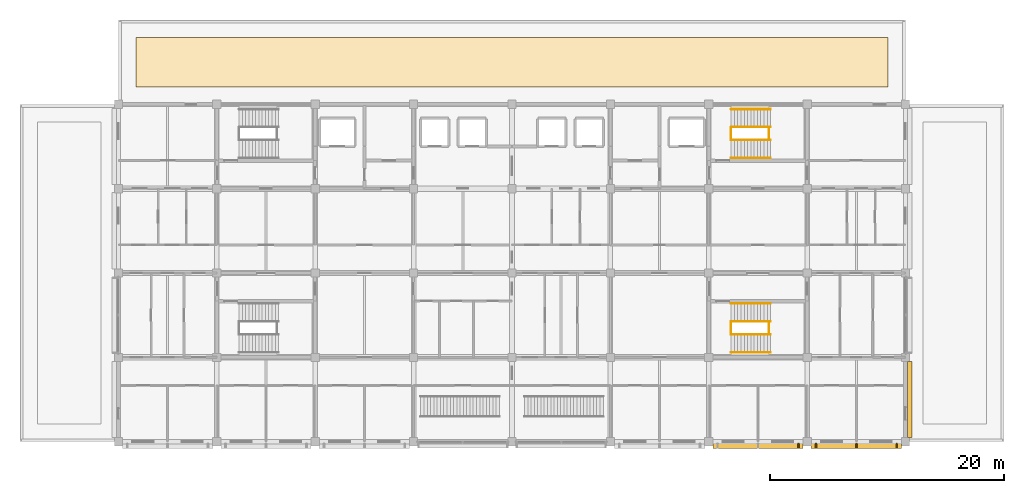
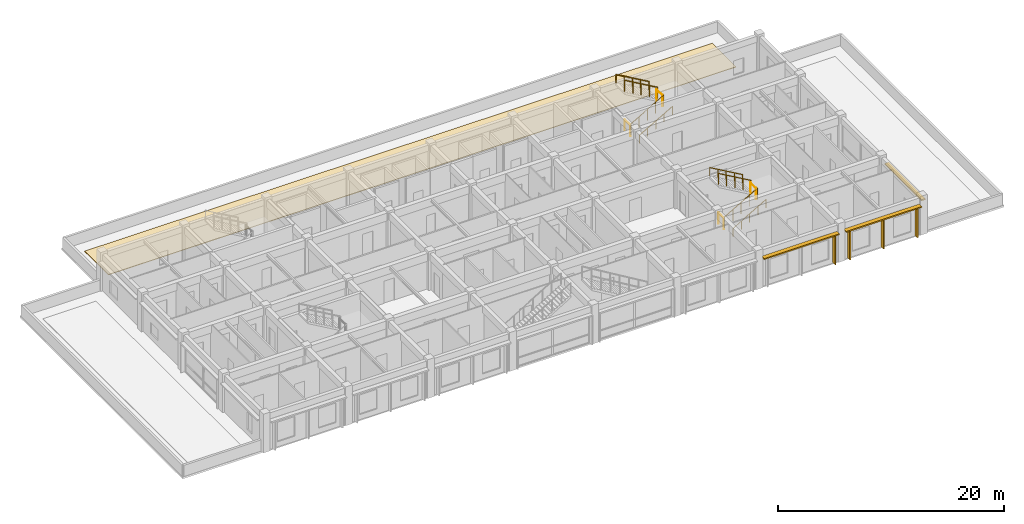
# One storey, part 18 of 19: 12 railings, 7 shading devices, 1 covering.
"""IFC4 building model written with IfcOpenShell, lengths in metres."""

import ifcopenshell
import ifcopenshell.guid

model = None  # the IFC model being written
_history = None  # IfcOwnerHistory: only IFC2X3 demands one
_inside = {}  # id of a spatial element -> (the spatial element, [elements in it])
_under = {}  # id of a project, library or spatial element -> (it, [spatial elements below it])
_declared = {}  # id of a project -> (the project, [libraries it declares])
_typed = {}  # id of a type object -> (the type object, [elements of that type])
_made_of = {}  # id of a material, layer set ... -> (it, [elements and type objects made of it])


def new_model(schema):
    """Start an empty IFC model of exactly this schema.

    Asked for "IFC4X3", IfcOpenShell would pick the latest addendum, in which some entities
    have other attributes; the version numbers below select the first issue.
    IFC2X3 requires an IfcOwnerHistory on every rooted entity: one is made here for all.
    """
    global model, _history
    if schema == "IFC4X3":
        model = ifcopenshell.file(schema_version=(4, 3, 0, 0))
    else:
        model = ifcopenshell.file(schema=schema)
    _inside.clear()
    _under.clear()
    _declared.clear()
    _typed.clear()
    _made_of.clear()
    _history = None
    if model.schema == "IFC2X3":
        org = make("IfcOrganization", Name="unknown")
        user = make(
            "IfcPersonAndOrganization",
            ThePerson=make("IfcPerson", FamilyName="unknown"),
            TheOrganization=org,
        )
        app = make(
            "IfcApplication",
            ApplicationDeveloper=org,
            Version="unknown",
            ApplicationFullName="unknown",
            ApplicationIdentifier="unknown",
        )
        _history = make(
            "IfcOwnerHistory",
            OwningUser=user,
            OwningApplication=app,
            ChangeAction="ADDED",
            CreationDate=0,
        )
    return model


def make(cls, **values):
    """One entity of the class cls with the attributes given. An attribute that is None is left unset."""
    return model.create_entity(
        cls, **{name: value for name, value in values.items() if value is not None}
    )


def rooted(cls, **values):
    """An entity with a GlobalId (a new one), such as an element, a storey or a relation."""
    return make(cls, GlobalId=ifcopenshell.guid.new(), OwnerHistory=_history, **values)


def si_unit(unit_type, name, prefix=None):
    """IfcSIUnit, for example si_unit("LENGTHUNIT", "METRE", prefix="MILLI")."""
    return make("IfcSIUnit", UnitType=unit_type, Prefix=prefix, Name=name)


def assignment(units):
    """IfcUnitAssignment: the units of a project."""
    return None if units is None else make("IfcUnitAssignment", Units=units)


def point(xyz):
    """IfcCartesianPoint."""
    return None if xyz is None else make("IfcCartesianPoint", Coordinates=xyz)


def direction(xyz):
    """IfcDirection."""
    return None if xyz is None else make("IfcDirection", DirectionRatios=xyz)


def frame(location, z_axis=None, x_axis=None):
    """IfcAxis2Placement3D, a coordinate frame: its origin and axes. An axis left out is left unset."""
    return make(
        "IfcAxis2Placement3D",
        Location=point(location),
        Axis=direction(z_axis),
        RefDirection=direction(x_axis),
    )


def frame_2d(location, x_axis=None):
    """IfcAxis2Placement2D, a coordinate frame in the plane: its origin and x axis."""
    return make(
        "IfcAxis2Placement2D", Location=point(location), RefDirection=direction(x_axis)
    )


def origin():
    """The frame at (0, 0, 0) with its axes left unset."""
    return frame((0.0, 0.0, 0.0))


def origin_2d():
    """The frame at (0, 0) in the plane with its x axis left unset."""
    return frame_2d((0.0, 0.0))


def place(relative_to, where):
    """IfcLocalPlacement: puts the frame where relative to a parent placement (None: the world)."""
    return make(
        "IfcLocalPlacement", PlacementRelTo=relative_to, RelativePlacement=where
    )


def context(
    kind, dimensions, precision=None, world=None, true_north=None, identifier=None
):
    """IfcGeometricRepresentationContext, for example the 3D "Model" context."""
    return make(
        "IfcGeometricRepresentationContext",
        ContextIdentifier=identifier,
        ContextType=kind,
        CoordinateSpaceDimension=dimensions,
        Precision=precision,
        WorldCoordinateSystem=world,
        TrueNorth=true_north,
    )


def subcontext(parent, identifier, kind, view, scale=None):
    """IfcGeometricRepresentationSubContext, for example "Body" below "Model"."""
    return make(
        "IfcGeometricRepresentationSubContext",
        ContextIdentifier=identifier,
        ContextType=kind,
        ParentContext=parent,
        TargetScale=scale,
        TargetView=view,
    )


def project(units=None, contexts=None):
    """IfcProject with its units and contexts."""
    return rooted(
        "IfcProject",
        Name="project",
        RepresentationContexts=contexts,
        UnitsInContext=assignment(units),
    )


def spatial(cls, under=None, at=None, **own):
    """A site, building, storey or space (cls), placed at a placement, below another one or the project."""
    s = rooted(cls, ObjectPlacement=at, **own)
    if under is not None:
        _under.setdefault(under.id(), (under, []))[1].append(s)
    return s


def polyline(points):
    """IfcPolyline through the points."""
    return make("IfcPolyline", Points=[point(p) for p in points])


def profile(cls, at=None, kind="AREA", **sizes):
    """A parametric profile (cls). Its sizes go by their IFC names, for example OverallWidth=200.0."""
    return make(cls, ProfileType=kind, Position=at, **sizes)


def rectangle(**sizes):
    """IfcRectangleProfileDef."""
    return profile("IfcRectangleProfileDef", **sizes)


def circle(**sizes):
    """IfcCircleProfileDef."""
    return profile("IfcCircleProfileDef", **sizes)


def outline(outer, holes=None, kind="AREA"):
    """IfcArbitraryClosedProfileDef: a profile drawn as a closed curve; with holes, ...WithVoids."""
    if holes is None:
        return make("IfcArbitraryClosedProfileDef", ProfileType=kind, OuterCurve=outer)
    return make(
        "IfcArbitraryProfileDefWithVoids",
        ProfileType=kind,
        OuterCurve=outer,
        InnerCurves=holes,
    )


def extrude(swept, where, along, depth):
    """IfcExtrudedAreaSolid: the profile swept, set in the frame where, extruded along a direction by depth."""
    return make(
        "IfcExtrudedAreaSolid",
        SweptArea=swept,
        Position=where,
        ExtrudedDirection=direction(along),
        Depth=depth,
    )


def shape(context_of_items, identifier, shape_type, items):
    """IfcShapeRepresentation: the items that make up one representation, for example the "Body"."""
    return make(
        "IfcShapeRepresentation",
        ContextOfItems=context_of_items,
        RepresentationIdentifier=identifier,
        RepresentationType=shape_type,
        Items=items,
    )


def material(Name=None, Category=None):
    """IfcMaterial."""
    return make("IfcMaterial", Name=Name, Category=Category)


def layer(
    of_material, thickness, ventilated=None, Name=None, Category=None, Priority=None
):
    """IfcMaterialLayer: one layer of a wall or slab, of a material (None: an air gap)."""
    return make(
        "IfcMaterialLayer",
        Material=of_material,
        LayerThickness=thickness,
        IsVentilated=ventilated,
        Name=Name,
        Category=Category,
        Priority=Priority,
    )


def layer_set(layers, Name=None):
    """IfcMaterialLayerSet."""
    return make("IfcMaterialLayerSet", MaterialLayers=layers, LayerSetName=Name)


def made_of(thing, what):
    """Note that an element or type object is made of a material, layer set ...; save() writes the relation."""
    if what is not None:
        _made_of.setdefault(what.id(), (what, []))[1].append(thing)
    return thing


def type_object(cls, material=None, **own):
    """A type object (cls), such as IfcWallType, which elements share."""
    return made_of(rooted(cls, **own), material)


def element(
    cls,
    number,
    at=None,
    inside=None,
    cuts=None,
    type_object=None,
    material=None,
    context=None,
    identifier="Body",
    shape_type=None,
    held_by="IfcProductDefinitionShape",
    body=None,
    shapes=None,
    **own,
):
    """One element of the class cls, such as IfcWall. Its Tag is "e" and its number.

    at: its placement. inside: the storey or other place that contains it. cuts: it is an
    opening in that element (IfcRelVoidsElement). A single representation is given by context,
    identifier, shape_type and body (its items); several are given by shapes. held_by: the class
    of the entity that holds the representations. save() writes the other relations.
    """
    e = rooted(cls, Tag="e%d" % number, ObjectPlacement=at, **own)
    if body is not None:
        shapes = [shape(context, identifier, shape_type, body)]
    if shapes is not None:
        e.Representation = make(held_by, Representations=shapes)
    if inside is not None:
        _inside.setdefault(inside.id(), (inside, []))[1].append(e)
    if cuts is not None:
        rooted(
            "IfcRelVoidsElement", RelatingBuildingElement=cuts, RelatedOpeningElement=e
        )
    if type_object is not None:
        _typed.setdefault(type_object.id(), (type_object, []))[1].append(e)
    return made_of(e, material)


def aggregate(whole, parts):
    """IfcRelAggregates: a whole, such as a stair, and the parts it consists of."""
    return rooted("IfcRelAggregates", RelatingObject=whole, RelatedObjects=parts)


def save(model, path):
    """Write the relations noted so far, then the file.

    IfcRelAggregates (storeys below a building ...), IfcRelContainedInSpatialStructure (elements
    in a storey), IfcRelDefinesByType, IfcRelAssociatesMaterial and IfcRelDeclares: one each for
    every whole, place, type object, material and project.
    """
    for whole, parts in _under.values():
        aggregate(whole, parts)
    for where, things in _inside.values():
        rooted(
            "IfcRelContainedInSpatialStructure",
            RelatedElements=things,
            RelatingStructure=where,
        )
    for kind, things in _typed.values():
        rooted("IfcRelDefinesByType", RelatedObjects=things, RelatingType=kind)
    for what, things in _made_of.values():
        rooted("IfcRelAssociatesMaterial", RelatedObjects=things, RelatingMaterial=what)
    for by, libraries in _declared.values():
        rooted("IfcRelDeclares", RelatingContext=by, RelatedDefinitions=libraries)
    model.write(path)


model = new_model("IFC4")

# Units and contexts
model_context = context("Model", 3, precision=1e-05, world=origin(), true_north=direction((0.0, 1.0)))
body_context = subcontext(model_context, "Body", "Model", "MODEL_VIEW")
ifc_project = project(units=[si_unit("LENGTHUNIT", "METRE"), si_unit("AREAUNIT", "SQUARE_METRE"), si_unit("VOLUMEUNIT", "CUBIC_METRE"), si_unit("PLANEANGLEUNIT", "RADIAN"), si_unit("MASSUNIT", "GRAM", prefix="KILO")], contexts=[model_context])

# Site, building, storey
site_placement = place(None, origin())
site = spatial("IfcSite", under=ifc_project, at=site_placement, CompositionType="ELEMENT")
building_placement = place(site_placement, origin())
building = spatial("IfcBuilding", under=site, at=building_placement, Name="Chengyuan Square Courthouse", CompositionType="ELEMENT")
storey_placement = place(building_placement, frame((0.0, 0.0, 47.699951171875)))
storey = spatial("IfcBuildingStorey", under=building, at=storey_placement, Name="L11", CompositionType="ELEMENT", Elevation=47.699951171875)

# Covering
ifc_material_1 = material(Name="TPO Waterproof Membrane and Extruded Polystyrene Insulation")
ifc_layer = layer(ifc_material_1, 0.06005859375)
ifc_layer_set = layer_set([ifc_layer], Name="TPO Waterproof Membrane and Extruded Polystyrene Insulation")
covering_type = type_object("IfcCoveringType", Name="RFG-01", PredefinedType="ROOFING", material=ifc_layer_set)
covering_placement = place(storey_placement, origin())
element("IfcCovering", 1, at=covering_placement, inside=storey, type_object=covering_type, Name="Roof Waterproofing Membrane RFG-L11-08", PredefinedType="ROOFING", context=body_context, shape_type="SweptSolid", body=[
    extrude(outline(polyline([(51.89990234375, 109.5), (116.10009765625, 109.5), (116.10009765625, 113.699951171875), (51.89990234375, 113.699951171875), (51.89990234375, 109.5)])), origin(), (0.0, 0.0, 1.0), 0.06005859375),
])

# Railings
ifc_material_2 = material(Name="Tempered Glass and Timber Top-Rail Balustrade", Category="wood")
railing_type_1 = type_object("IfcRailingType", Name="RL-02", PredefinedType="BALUSTRADE", material=ifc_material_2)
for number, where, name in (
    (2, (102.68994140625, 105.0, 0.0), "Stair Floor Slot Guard ST-2 L11"),
    (3, (105.949951171875, 105.0, 2.10009765625), "Stair Landing Guard ST-2-L11"),
):
    element("IfcRailing", number, at=place(storey_placement, frame(where)), inside=storey, type_object=railing_type_1, Name=name, PredefinedType="BALUSTRADE", context=body_context, shape_type="SweptSolid", body=[
        extrude(circle(Radius=0.02392578125, at=origin_2d()), frame((0.0, 0.0, 1.17578125), z_axis=(0.0, 1.0, 0.0), x_axis=(-1.0, 0.0, 0.0)), (0.0, 0.0, 1.0), 1.0),
        extrude(circle(Radius=0.02099609375, at=origin_2d()), origin(), (0.0, 0.0, 1.0), 1.15185546875),
        extrude(circle(Radius=0.02099609375, at=origin_2d()), frame((0.0, 1.0, 0.0)), (0.0, 0.0, 1.0), 1.15185546875),
    ])
railing_1_placement = place(storey_placement, frame((102.7099609375, 104.949951171875, 0.16162109375)))
element("IfcRailing", 4, at=railing_1_placement, inside=storey, type_object=railing_type_1, Name="Stair Flight 1 Guard ST-2-L11", PredefinedType="BALUSTRADE", context=body_context, shape_type="SweptSolid", body=[
    extrude(circle(Radius=0.02392578125, at=origin_2d()), frame((0.0, 0.0, 1.17578125), z_axis=(0.866190824863, 0.0, 0.499713372768), x_axis=(0.0, 1.0, 0.0)), (0.0, 0.0, 1.0), 3.879150390625),
    extrude(circle(Radius=0.02099609375, at=origin_2d()), origin(), (0.0, 0.0, 1.0), 1.15185546875),
    extrude(circle(Radius=0.02099609375, at=origin_2d()), frame((0.840087890625, 0.0, 0.484619140625)), (0.0, 0.0, 1.0), 1.15185546875),
    extrude(circle(Radius=0.02099609375, at=origin_2d()), frame((1.68017578125, 0.0, 0.96923828125)), (0.0, 0.0, 1.0), 1.15185546875),
    extrude(circle(Radius=0.02099609375, at=origin_2d()), frame((2.52001953125, 0.0, 1.453857421875)), (0.0, 0.0, 1.0), 1.15185546875),
    extrude(circle(Radius=0.02099609375, at=origin_2d()), frame((3.360107421875, 0.0, 1.9384765625)), (0.0, 0.0, 1.0), 1.15185546875),
])
railing_2_placement = place(storey_placement, frame((106.070068359375, 106.050048828125, 2.261474609375)))
element("IfcRailing", 5, at=railing_2_placement, inside=storey, type_object=railing_type_1, Name="Stair Flight 2 Guard ST-2-L11", PredefinedType="BALUSTRADE", context=body_context, shape_type="SweptSolid", body=[
    extrude(circle(Radius=0.02392578125, at=origin_2d()), frame((0.0, 0.0, 1.17578125), z_axis=(-0.866190824863, 0.0, 0.499713372768), x_axis=(0.0, -1.0, 0.0)), (0.0, 0.0, 1.0), 3.879150390625),
    extrude(circle(Radius=0.02099609375, at=origin_2d()), origin(), (0.0, 0.0, 1.0), 1.15185546875),
    extrude(circle(Radius=0.02099609375, at=origin_2d()), frame((-0.840087890625, 0.0, 0.484619140625)), (0.0, 0.0, 1.0), 1.15185546875),
    extrude(circle(Radius=0.02099609375, at=origin_2d()), frame((-1.68017578125, 0.0, 0.96923828125)), (0.0, 0.0, 1.0), 1.15185546875),
    extrude(circle(Radius=0.02099609375, at=origin_2d()), frame((-2.52001953125, 0.0, 1.453857421875)), (0.0, 0.0, 1.0), 1.15185546875),
    extrude(circle(Radius=0.02099609375, at=origin_2d()), frame((-3.360107421875, 0.0, 1.9384765625)), (0.0, 0.0, 1.0), 1.15185546875),
])
for number, where, name in (
    (6, (102.68994140625, 88.39990234375, 0.0), "Stair Floor Slot Guard ST-4 L11"),
    (7, (105.949951171875, 88.39990234375, 2.10009765625), "Stair Landing Guard ST-4-L11"),
):
    element("IfcRailing", number, at=place(storey_placement, frame(where)), inside=storey, type_object=railing_type_1, Name=name, PredefinedType="BALUSTRADE", context=body_context, shape_type="SweptSolid", body=[
        extrude(circle(Radius=0.02392578125, at=origin_2d()), frame((0.0, 0.0, 1.17578125), z_axis=(0.0, 1.0, 0.0), x_axis=(-1.0, 0.0, 0.0)), (0.0, 0.0, 1.0), 1.0),
        extrude(circle(Radius=0.02099609375, at=origin_2d()), origin(), (0.0, 0.0, 1.0), 1.15185546875),
        extrude(circle(Radius=0.02099609375, at=origin_2d()), frame((0.0, 1.0, 0.0)), (0.0, 0.0, 1.0), 1.15185546875),
    ])
railing_3_placement = place(storey_placement, frame((102.7099609375, 88.35009765625, 0.16162109375)))
element("IfcRailing", 8, at=railing_3_placement, inside=storey, type_object=railing_type_1, Name="Stair Flight 1 Guard ST-4-L11", PredefinedType="BALUSTRADE", context=body_context, shape_type="SweptSolid", body=[
    extrude(circle(Radius=0.02392578125, at=origin_2d()), frame((0.0, 0.0, 1.17578125), z_axis=(0.866190824863, 0.0, 0.499713372768), x_axis=(0.0, 1.0, 0.0)), (0.0, 0.0, 1.0), 3.879150390625),
    extrude(circle(Radius=0.02099609375, at=origin_2d()), origin(), (0.0, 0.0, 1.0), 1.15185546875),
    extrude(circle(Radius=0.02099609375, at=origin_2d()), frame((0.840087890625, 0.0, 0.484619140625)), (0.0, 0.0, 1.0), 1.15185546875),
    extrude(circle(Radius=0.02099609375, at=origin_2d()), frame((1.68017578125, 0.0, 0.96923828125)), (0.0, 0.0, 1.0), 1.15185546875),
    extrude(circle(Radius=0.02099609375, at=origin_2d()), frame((2.52001953125, 0.0, 1.453857421875)), (0.0, 0.0, 1.0), 1.15185546875),
    extrude(circle(Radius=0.02099609375, at=origin_2d()), frame((3.360107421875, 0.0, 1.9384765625)), (0.0, 0.0, 1.0), 1.15185546875),
])
railing_4_placement = place(storey_placement, frame((106.070068359375, 89.449951171875, 2.261474609375)))
element("IfcRailing", 9, at=railing_4_placement, inside=storey, type_object=railing_type_1, Name="Stair Flight 2 Guard ST-4-L11", PredefinedType="BALUSTRADE", context=body_context, shape_type="SweptSolid", body=[
    extrude(circle(Radius=0.02392578125, at=origin_2d()), frame((0.0, 0.0, 1.17578125), z_axis=(-0.866190824863, 0.0, 0.499713372768), x_axis=(0.0, -1.0, 0.0)), (0.0, 0.0, 1.0), 3.879150390625),
    extrude(circle(Radius=0.02099609375, at=origin_2d()), origin(), (0.0, 0.0, 1.0), 1.15185546875),
    extrude(circle(Radius=0.02099609375, at=origin_2d()), frame((-0.840087890625, 0.0, 0.484619140625)), (0.0, 0.0, 1.0), 1.15185546875),
    extrude(circle(Radius=0.02099609375, at=origin_2d()), frame((-1.68017578125, 0.0, 0.96923828125)), (0.0, 0.0, 1.0), 1.15185546875),
    extrude(circle(Radius=0.02099609375, at=origin_2d()), frame((-2.52001953125, 0.0, 1.453857421875)), (0.0, 0.0, 1.0), 1.15185546875),
    extrude(circle(Radius=0.02099609375, at=origin_2d()), frame((-3.360107421875, 0.0, 1.9384765625)), (0.0, 0.0, 1.0), 1.15185546875),
])
ifc_material_3 = material(Name="Stainless Steel S30408 Stair Handrail", Category="steel")
railing_type_2 = type_object("IfcRailingType", Name="RL-04", PredefinedType="HANDRAIL", material=ifc_material_3)
railing_5_placement = place(storey_placement, frame((102.7099609375, 103.419921875, 0.16162109375)))
element("IfcRailing", 10, at=railing_5_placement, inside=storey, type_object=railing_type_2, Name="Stair Flight 1 Handrail ST-2-L11", PredefinedType="HANDRAIL", context=body_context, shape_type="SweptSolid", body=[
    extrude(circle(Radius=0.02392578125, at=origin_2d()), frame((0.0, 0.0, 0.8759765625), z_axis=(0.866190824863, 0.0, 0.499713372768), x_axis=(0.0, 1.0, 0.0)), (0.0, 0.0, 1.0), 3.879150390625),
    extrude(circle(Radius=0.02099609375, at=origin_2d()), origin(), (0.0, 0.0, 1.0), 0.851806640625),
    extrude(circle(Radius=0.02099609375, at=origin_2d()), frame((0.840087890625, 0.0, 0.484619140625)), (0.0, 0.0, 1.0), 0.851806640625),
    extrude(circle(Radius=0.02099609375, at=origin_2d()), frame((1.68017578125, 0.0, 0.96923828125)), (0.0, 0.0, 1.0), 0.851806640625),
    extrude(circle(Radius=0.02099609375, at=origin_2d()), frame((2.52001953125, 0.0, 1.453857421875)), (0.0, 0.0, 1.0), 0.851806640625),
    extrude(circle(Radius=0.02099609375, at=origin_2d()), frame((3.360107421875, 0.0, 1.9384765625)), (0.0, 0.0, 1.0), 0.851806640625),
])
railing_6_placement = place(storey_placement, frame((106.070068359375, 107.580078125, 2.261474609375)))
element("IfcRailing", 11, at=railing_6_placement, inside=storey, type_object=railing_type_2, Name="Stair Flight 2 Handrail ST-2-L11", PredefinedType="HANDRAIL", context=body_context, shape_type="SweptSolid", body=[
    extrude(circle(Radius=0.02392578125, at=origin_2d()), frame((0.0, 0.0, 0.8759765625), z_axis=(-0.866190824863, 0.0, 0.499713372768), x_axis=(0.0, -1.0, 0.0)), (0.0, 0.0, 1.0), 3.879150390625),
    extrude(circle(Radius=0.02099609375, at=origin_2d()), origin(), (0.0, 0.0, 1.0), 0.851806640625),
    extrude(circle(Radius=0.02099609375, at=origin_2d()), frame((-0.840087890625, 0.0, 0.484619140625)), (0.0, 0.0, 1.0), 0.851806640625),
    extrude(circle(Radius=0.02099609375, at=origin_2d()), frame((-1.68017578125, 0.0, 0.96923828125)), (0.0, 0.0, 1.0), 0.851806640625),
    extrude(circle(Radius=0.02099609375, at=origin_2d()), frame((-2.52001953125, 0.0, 1.453857421875)), (0.0, 0.0, 1.0), 0.851806640625),
    extrude(circle(Radius=0.02099609375, at=origin_2d()), frame((-3.360107421875, 0.0, 1.9384765625)), (0.0, 0.0, 1.0), 0.851806640625),
])
railing_7_placement = place(storey_placement, frame((102.7099609375, 86.820068359375, 0.16162109375)))
element("IfcRailing", 12, at=railing_7_placement, inside=storey, type_object=railing_type_2, Name="Stair Flight 1 Handrail ST-4-L11", PredefinedType="HANDRAIL", context=body_context, shape_type="SweptSolid", body=[
    extrude(circle(Radius=0.02392578125, at=origin_2d()), frame((0.0, 0.0, 0.8759765625), z_axis=(0.866190824863, 0.0, 0.499713372768), x_axis=(0.0, 1.0, 0.0)), (0.0, 0.0, 1.0), 3.879150390625),
    extrude(circle(Radius=0.02099609375, at=origin_2d()), origin(), (0.0, 0.0, 1.0), 0.851806640625),
    extrude(circle(Radius=0.02099609375, at=origin_2d()), frame((0.840087890625, 0.0, 0.484619140625)), (0.0, 0.0, 1.0), 0.851806640625),
    extrude(circle(Radius=0.02099609375, at=origin_2d()), frame((1.68017578125, 0.0, 0.96923828125)), (0.0, 0.0, 1.0), 0.851806640625),
    extrude(circle(Radius=0.02099609375, at=origin_2d()), frame((2.52001953125, 0.0, 1.453857421875)), (0.0, 0.0, 1.0), 0.851806640625),
    extrude(circle(Radius=0.02099609375, at=origin_2d()), frame((3.360107421875, 0.0, 1.9384765625)), (0.0, 0.0, 1.0), 0.851806640625),
])
railing_8_placement = place(storey_placement, frame((106.070068359375, 90.97998046875, 2.261474609375)))
element("IfcRailing", 13, at=railing_8_placement, inside=storey, type_object=railing_type_2, Name="Stair Flight 2 Handrail ST-4-L11", PredefinedType="HANDRAIL", context=body_context, shape_type="SweptSolid", body=[
    extrude(circle(Radius=0.02392578125, at=origin_2d()), frame((0.0, 0.0, 0.8759765625), z_axis=(-0.866190824863, 0.0, 0.499713372768), x_axis=(0.0, -1.0, 0.0)), (0.0, 0.0, 1.0), 3.879150390625),
    extrude(circle(Radius=0.02099609375, at=origin_2d()), origin(), (0.0, 0.0, 1.0), 0.851806640625),
    extrude(circle(Radius=0.02099609375, at=origin_2d()), frame((-0.840087890625, 0.0, 0.484619140625)), (0.0, 0.0, 1.0), 0.851806640625),
    extrude(circle(Radius=0.02099609375, at=origin_2d()), frame((-1.68017578125, 0.0, 0.96923828125)), (0.0, 0.0, 1.0), 0.851806640625),
    extrude(circle(Radius=0.02099609375, at=origin_2d()), frame((-2.52001953125, 0.0, 1.453857421875)), (0.0, 0.0, 1.0), 0.851806640625),
    extrude(circle(Radius=0.02099609375, at=origin_2d()), frame((-3.360107421875, 0.0, 1.9384765625)), (0.0, 0.0, 1.0), 0.851806640625),
])

# Shading devices
ifc_material_4 = material(Name="Glulam TCt28 Sunshade Louvre", Category="wood")
shading_device_type_1 = type_object("IfcShadingDeviceType", Name="SHD-02", PredefinedType="AWNING", material=ifc_material_4)
for number, where, z_axis, x_axis, name in (
    (14, (105.0, 78.837890625, 3.14013671875), (0.0, 0.0, 1.0), (1.0, 0.0, 0.0), "Glulam Sunshade Cornice SHD-L11-0822"),
    (15, (113.39990234375, 78.837890625, 3.14013671875), (0.0, 0.0, 1.0), (1.0, 0.0, 0.0), "Glulam Sunshade Cornice SHD-L11-0826"),
):
    element("IfcShadingDevice", number, at=place(storey_placement, frame(where, z_axis=z_axis, x_axis=x_axis)), inside=storey, type_object=shading_device_type_1, Name=name, PredefinedType="AWNING", context=body_context, shape_type="SweptSolid", body=[
        extrude(rectangle(XDim=7.7099609375, YDim=0.43994140625, at=origin_2d()), origin(), (0.0, 0.0, 1.0), 0.139892578125),
    ])
ifc_material_5 = material(Name="Glulam TCt28 Facade Sunshade", Category="wood")
shading_device_type_2 = type_object("IfcShadingDeviceType", Name="SHD-03", PredefinedType="AWNING", material=ifc_material_5)
shading_device_placement = place(storey_placement, frame((117.951904296875, 82.800048828125, 3.1201171875), z_axis=(0.0, 0.0, 1.0), x_axis=(0.0, 1.0, 0.0)))
element("IfcShadingDevice", 16, at=shading_device_placement, inside=storey, type_object=shading_device_type_2, Name="Glulam Facade Sunshade SHD-L11-0827", PredefinedType="AWNING", context=body_context, shape_type="SweptSolid", body=[
    extrude(rectangle(XDim=6.510009765625, YDim=0.39990234375, at=origin_2d()), origin(), (0.0, 0.0, 1.0), 0.139892578125),
])
ifc_material_6 = material(Name="Glulam TCt28 Chamber Solar Fin", Category="wood")
shading_device_type_3 = type_object("IfcShadingDeviceType", Name="SHD-04", PredefinedType="JALOUSIE", material=ifc_material_6)
for number, where, z_axis, x_axis, name in (
    (17, (108.449951171875, 78.837890625, 0.0400390625), (0.0, 0.0, 1.0), (0.0, 1.0, 0.0), "Glulam Chamber Fin SHD-L11-0821"),
    (18, (109.949951171875, 78.837890625, 0.0400390625), (0.0, 0.0, 1.0), (0.0, 1.0, 0.0), "Glulam Chamber Fin SHD-L11-0823"),
    (19, (113.39990234375, 78.837890625, 0.0400390625), (0.0, 0.0, 1.0), (0.0, 1.0, 0.0), "Glulam Chamber Fin SHD-L11-0824"),
    (20, (116.85009765625, 78.837890625, 0.0400390625), (0.0, 0.0, 1.0), (0.0, 1.0, 0.0), "Glulam Chamber Fin SHD-L11-0825"),
):
    element("IfcShadingDevice", number, at=place(storey_placement, frame(where, z_axis=z_axis, x_axis=x_axis)), inside=storey, type_object=shading_device_type_3, Name=name, PredefinedType="JALOUSIE", context=body_context, shape_type="SweptSolid", body=[
        extrude(rectangle(XDim=0.419921875, YDim=0.110107421875, at=origin_2d()), origin(), (0.0, 0.0, 1.0), 3.10009765625),
    ])

save(model, "model.ifc")
